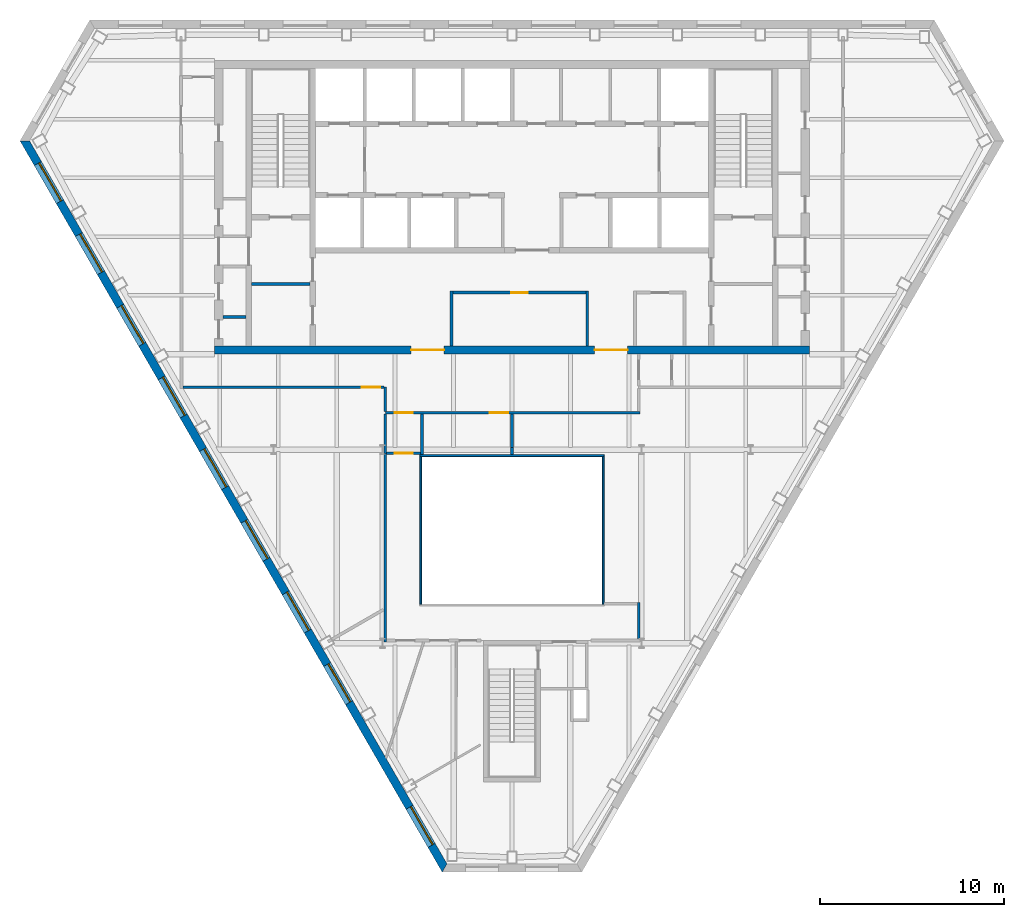
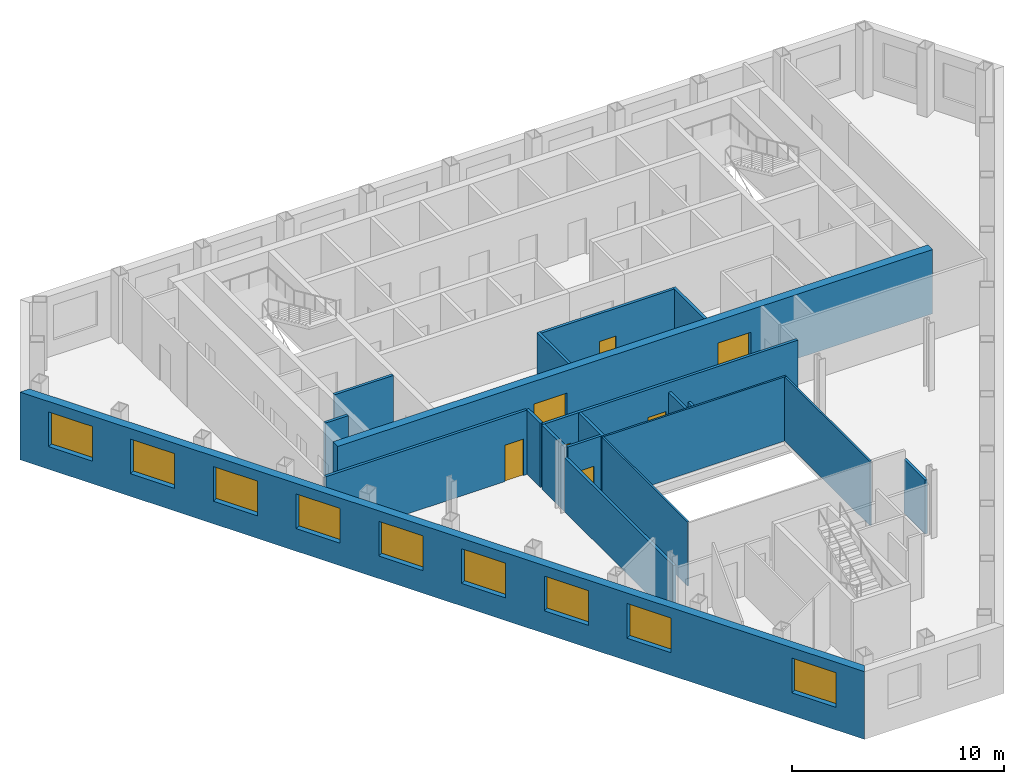
# One storey, part 4 of 10: 20 walls, 9 windows, 7 doors, 16 openings.
"""IFC4 building model written with IfcOpenShell, lengths in metres."""

from ifc_helpers import new_model, si_unit, direction, frame, frame_2d, origin, place, context, subcontext, project, spatial, polyline, rectangle, outline, extrude, material, layer, layer_set, type_object, element, fill, save


model = new_model("IFC4")

# Units and contexts
model_context = context("Model", 3, precision=1e-05, world=origin(), true_north=direction((0.0, 1.0)))
body_context = subcontext(model_context, "Body", "Model", "MODEL_VIEW")
ifc_project = project(units=[si_unit("LENGTHUNIT", "METRE"), si_unit("AREAUNIT", "SQUARE_METRE"), si_unit("VOLUMEUNIT", "CUBIC_METRE"), si_unit("PLANEANGLEUNIT", "RADIAN"), si_unit("MASSUNIT", "GRAM", prefix="KILO")], contexts=[model_context])

# Site, building, storey
site_placement = place(None, origin())
site = spatial("IfcSite", under=ifc_project, at=site_placement, CompositionType="ELEMENT")
building_placement = place(site_placement, origin())
building = spatial("IfcBuilding", under=site, at=building_placement, Name="Njiva Tower", CompositionType="ELEMENT")
storey_placement = place(building_placement, frame((0.0, 0.0, 196.5)))
storey = spatial("IfcBuildingStorey", under=building, at=storey_placement, Name="L43", CompositionType="ELEMENT", Elevation=196.5)

# Walls
ifc_material_1 = material(Name="Blockwork", Category="masonry")
ifc_layer_1 = layer(ifc_material_1, 0.15)
ifc_layer_set_1 = layer_set([ifc_layer_1], Name="Blockwork")
wall_type_1 = type_object("IfcWallType", Name="WT1 Compartment partition 150", PredefinedType="PARTITIONING", material=ifc_layer_set_1)
wall_1_placement = place(storey_placement, frame((-14.2, 5.825, 0.0), z_axis=(0.0, 0.0, 1.0), x_axis=(1.0, 0.0, 0.0)))
element("IfcWall", 1, at=wall_1_placement, inside=storey, type_object=wall_type_1, Name="Room wall A", PredefinedType="PARTITIONING", context=body_context, shape_type="SweptSolid", body=[
    extrude(rectangle(XDim=3.2, YDim=0.15, at=frame_2d((1.6, 0.0))), origin(), (0.0, 0.0, 1.0), 3.7),
])
wall_2_placement = place(storey_placement, frame((-15.75, 4.025, 0.0), z_axis=(0.0, 0.0, 1.0), x_axis=(1.0, 0.0, 0.0)))
element("IfcWall", 2, at=wall_2_placement, inside=storey, type_object=wall_type_1, Name="Partition strip W00", PredefinedType="PARTITIONING", context=body_context, shape_type="SweptSolid", body=[
    extrude(rectangle(XDim=1.25, YDim=0.15, at=frame_2d((0.625, 0.0))), origin(), (0.0, 0.0, 1.0), 3.7),
])
for number, where, z_axis, x_axis, name in (
    (3, (-3.3, 2.45, 0.0), (0.0, 0.0, 1.0), (0.0, 1.0, 0.0), "Parcel room wall west"),
    (4, (4.1, 2.45, 0.0), (0.0, 0.0, 1.0), (0.0, 1.0, 0.0), "Parcel room wall east"),
):
    element("IfcWall", number, at=place(storey_placement, frame(where, z_axis=z_axis, x_axis=x_axis)), inside=storey, type_object=wall_type_1, Name=name, PredefinedType="PARTITIONING", context=body_context, shape_type="SweptSolid", body=[
        extrude(rectangle(XDim=2.975, YDim=0.15, at=frame_2d((1.4875, 0.0))), origin(), (0.0, 0.0, 1.0), 3.7),
    ])

# Wall, opening, door
wall_3_placement = place(storey_placement, frame((-3.225, 5.35, 0.0), z_axis=(0.0, 0.0, 1.0), x_axis=(1.0, 0.0, 0.0)))
wall_3 = element("IfcWall", 5, at=wall_3_placement, inside=storey, type_object=wall_type_1, Name="Parcel room wall north", PredefinedType="PARTITIONING", context=body_context, shape_type="SweptSolid", body=[
    extrude(rectangle(XDim=7.25, YDim=0.15, at=frame_2d((3.625, 0.0))), origin(), (0.0, 0.0, 1.0), 3.7),
])
opening_1_placement = place(wall_3_placement, frame((3.175, 0.0, 0.0)))
opening_1 = element("IfcOpeningElement", 6, at=opening_1_placement, cuts=wall_3, Name="Opening S14-D934", PredefinedType="OPENING", context=body_context, shape_type="SweptSolid", body=[
    extrude(rectangle(XDim=0.9, YDim=2.1, at=frame_2d((0.45, 1.05))), frame((0.0, 0.085, 0.0), z_axis=(0.0, -1.0, 0.0), x_axis=(1.0, 0.0, 0.0)), (0.0, 0.0, 1.0), 0.17),
])
ifc_material_2 = material(Name="Steel fire door, painted", Category="steel")
door_type_1 = type_object("IfcDoorType", Name="D6 Fire-rated door 900x2100", OperationType="SINGLE_SWING_LEFT", PredefinedType="DOOR", material=ifc_material_2)
door_1_placement = place(opening_1_placement, origin())
door_1 = element("IfcDoor", 7, at=door_1_placement, inside=storey, type_object=door_type_1, Name="Parcel room door", OperationType="SINGLE_SWING_LEFT", OverallHeight=2.1, OverallWidth=0.9, PredefinedType="DOOR", context=body_context, shape_type="SweptSolid", body=[
    extrude(rectangle(XDim=0.9, YDim=2.1, at=frame_2d((0.45, 1.05))), frame((0.0, 0.025, 0.0), z_axis=(0.0, -1.0, 0.0), x_axis=(1.0, 0.0, 0.0)), (0.0, 0.0, 1.0), 0.05),
])
fill(opening_1, door_1)

# Wall, openings, doors
ifc_material_3 = material(Name="Concrete C60/75", Category="concrete")
ifc_layer_2 = layer(ifc_material_3, 0.45)
ifc_layer_set_2 = layer_set([ifc_layer_2], Name="Concrete C60/75")
wall_type_2 = type_object("IfcWallType", Name="WT12 Core wall 450", PredefinedType="SHEAR", material=ifc_layer_set_2)
wall_4_placement = place(storey_placement, frame((-16.2, 2.225, 0.0), z_axis=(0.0, 0.0, 1.0), x_axis=(1.0, 0.0, 0.0)))
wall_4 = element("IfcWall", 8, at=wall_4_placement, inside=storey, type_object=wall_type_2, Name="Core wall south", PredefinedType="SHEAR", context=body_context, shape_type="SweptSolid", body=[
    extrude(rectangle(XDim=32.4, YDim=0.45, at=frame_2d((16.2, 0.0))), origin(), (0.0, 0.0, 1.0), 3.7),
])
opening_2_placement = place(wall_4_placement, frame((10.7, 0.0, 0.0)))
opening_2 = element("IfcOpeningElement", 9, at=opening_2_placement, cuts=wall_4, Name="Opening S14-D937", PredefinedType="OPENING", context=body_context, shape_type="SweptSolid", body=[
    extrude(rectangle(XDim=1.8, YDim=2.4, at=frame_2d((0.9, 1.2))), frame((0.0, 0.235, 0.0), z_axis=(0.0, -1.0, 0.0), x_axis=(1.0, 0.0, 0.0)), (0.0, 0.0, 1.0), 0.47),
])
opening_3_placement = place(wall_4_placement, frame((20.7, 0.0, 0.0)))
opening_3 = element("IfcOpeningElement", 10, at=opening_3_placement, cuts=wall_4, Name="Opening S14-D938", PredefinedType="OPENING", context=body_context, shape_type="SweptSolid", body=[
    extrude(rectangle(XDim=1.8, YDim=2.4, at=frame_2d((0.9, 1.2))), frame((0.0, 0.235, 0.0), z_axis=(0.0, -1.0, 0.0), x_axis=(1.0, 0.0, 0.0)), (0.0, 0.0, 1.0), 0.47),
])
ifc_material_4 = material(Name="Steel and glass door", Category="steel")
door_type_2 = type_object("IfcDoorType", Name="D3 Core entrance door 1800x2400", OperationType="DOUBLE_DOOR_SINGLE_SWING", PredefinedType="DOOR", material=ifc_material_4)
door_2_placement = place(opening_2_placement, origin())
door_2 = element("IfcDoor", 11, at=door_2_placement, inside=storey, type_object=door_type_2, Name="Core entrance door", OperationType="DOUBLE_DOOR_SINGLE_SWING", OverallHeight=2.4, OverallWidth=1.8, PredefinedType="DOOR", context=body_context, shape_type="SweptSolid", body=[
    extrude(rectangle(XDim=1.8, YDim=2.4, at=frame_2d((0.9, 1.2))), frame((0.0, 0.025, 0.0), z_axis=(0.0, -1.0, 0.0), x_axis=(1.0, 0.0, 0.0)), (0.0, 0.0, 1.0), 0.05),
])
fill(opening_2, door_2)
door_3_placement = place(opening_3_placement, origin())
door_3 = element("IfcDoor", 12, at=door_3_placement, inside=storey, type_object=door_type_2, Name="Core entrance door", OperationType="DOUBLE_DOOR_SINGLE_SWING", OverallHeight=2.4, OverallWidth=1.8, PredefinedType="DOOR", context=body_context, shape_type="SweptSolid", body=[
    extrude(rectangle(XDim=1.8, YDim=2.4, at=frame_2d((0.9, 1.2))), frame((0.0, 0.025, 0.0), z_axis=(0.0, -1.0, 0.0), x_axis=(1.0, 0.0, 0.0)), (0.0, 0.0, 1.0), 0.05),
])
fill(opening_3, door_3)

# Wall, opening, door
ifc_material_5 = material(Name="Gypsum board on steel studs", Category="gypsum")
ifc_layer_3 = layer(ifc_material_5, 0.15)
ifc_layer_set_3 = layer_set([ifc_layer_3], Name="Gypsum board on steel studs")
wall_type_3 = type_object("IfcWallType", Name="WT21 Compartment wall 150", PredefinedType="PARTITIONING", material=ifc_layer_set_3)
wall_5_placement = place(storey_placement, frame((-17.925, 0.2, 0.0), z_axis=(0.0, 0.0, 1.0), x_axis=(1.0, 0.0, 0.0)))
wall_5 = element("IfcWall", 13, at=wall_5_placement, inside=storey, type_object=wall_type_3, Name="Partition S14-P005", PredefinedType="PARTITIONING", context=body_context, shape_type="SweptSolid", body=[
    extrude(rectangle(XDim=10.95, YDim=0.15, at=frame_2d((5.475, 0.0))), origin(), (0.0, 0.0, 1.0), 3.7),
])
opening_4_placement = place(wall_5_placement, frame((9.75, 0.0, 0.0)))
opening_4 = element("IfcOpeningElement", 14, at=opening_4_placement, cuts=wall_5, Name="Opening S14-D003", PredefinedType="OPENING", context=body_context, shape_type="SweptSolid", body=[
    extrude(rectangle(XDim=1.0, YDim=2.1, at=frame_2d((0.5, 1.05))), frame((0.0, 0.085, 0.0), z_axis=(0.0, -1.0, 0.0), x_axis=(1.0, 0.0, 0.0)), (0.0, 0.0, 1.0), 0.17),
])
ifc_material_6 = material(Name="Steel fire door set", Category="steel")
door_type_3 = type_object("IfcDoorType", Name="D37 Fire door 1000x2100", OperationType="SINGLE_SWING_LEFT", PredefinedType="DOOR", material=ifc_material_6)
door_4_placement = place(opening_4_placement, origin())
door_4 = element("IfcDoor", 15, at=door_4_placement, inside=storey, type_object=door_type_3, Name="Door S14-D003", OperationType="SINGLE_SWING_LEFT", OverallHeight=2.1, OverallWidth=1.0, PredefinedType="DOOR", context=body_context, shape_type="SweptSolid", body=[
    extrude(rectangle(XDim=1.0, YDim=2.1, at=frame_2d((0.5, 1.05))), frame((0.0, 0.025, 0.0), z_axis=(0.0, -1.0, 0.0), x_axis=(1.0, 0.0, 0.0)), (0.0, 0.0, 1.0), 0.05),
])
fill(opening_4, door_4)

# Walls
wall_6_placement = place(storey_placement, frame((-6.9, -13.675, 0.0), z_axis=(0.0, 0.0, 1.0), x_axis=(0.0, 1.0, 0.0)))
element("IfcWall", 16, at=wall_6_placement, inside=storey, type_object=wall_type_3, Name="Partition S14-P007", PredefinedType="PARTITIONING", context=body_context, shape_type="SweptSolid", body=[
    extrude(rectangle(XDim=10.263, YDim=0.15, at=frame_2d((5.1315, 0.0))), origin(), (0.0, 0.0, 1.0), 3.11),
])
wall_7_placement = place(storey_placement, frame((-6.9, -3.412, 0.0), z_axis=(0.0, 0.0, 1.0), x_axis=(0.0, 1.0, 0.0)))
element("IfcWall", 17, at=wall_7_placement, inside=storey, type_object=wall_type_3, Name="Partition S14-P007A", PredefinedType="PARTITIONING", context=body_context, shape_type="SweptSolid", body=[
    extrude(rectangle(XDim=2.137, YDim=0.15, at=frame_2d((1.0685, 0.0))), origin(), (0.0, 0.0, 1.0), 3.7),
])

# Wall, openings, doors
wall_8_placement = place(storey_placement, frame((-6.9, -1.2, 0.0), z_axis=(0.0, 0.0, 1.0), x_axis=(1.0, 0.0, 0.0)))
wall_8 = element("IfcWall", 18, at=wall_8_placement, inside=storey, type_object=wall_type_3, Name="Partition S14-P008", PredefinedType="PARTITIONING", context=body_context, shape_type="SweptSolid", body=[
    extrude(rectangle(XDim=13.875, YDim=0.15, at=frame_2d((6.9375, 0.0))), origin(), (0.0, 0.0, 1.0), 3.7),
])
opening_5_placement = place(wall_8_placement, frame((0.5, 0.0, 0.0)))
opening_5 = element("IfcOpeningElement", 19, at=opening_5_placement, cuts=wall_8, Name="Opening S14-D004", PredefinedType="OPENING", context=body_context, shape_type="SweptSolid", body=[
    extrude(rectangle(XDim=1.0, YDim=2.1, at=frame_2d((0.5, 1.05))), frame((0.0, 0.085, 0.0), z_axis=(0.0, -1.0, 0.0), x_axis=(1.0, 0.0, 0.0)), (0.0, 0.0, 1.0), 0.17),
])
opening_6_placement = place(wall_8_placement, frame((5.699, 0.0, 0.0)))
opening_6 = element("IfcOpeningElement", 20, at=opening_6_placement, cuts=wall_8, Name="Opening S14-D005", PredefinedType="OPENING", context=body_context, shape_type="SweptSolid", body=[
    extrude(rectangle(XDim=1.0, YDim=2.1, at=frame_2d((0.5, 1.05))), frame((0.0, 0.085, 0.0), z_axis=(0.0, -1.0, 0.0), x_axis=(1.0, 0.0, 0.0)), (0.0, 0.0, 1.0), 0.17),
])
door_5_placement = place(opening_5_placement, origin())
door_5 = element("IfcDoor", 21, at=door_5_placement, inside=storey, type_object=door_type_3, Name="Door S14-D004", OperationType="SINGLE_SWING_RIGHT", OverallHeight=2.1, OverallWidth=1.0, PredefinedType="DOOR", context=body_context, shape_type="SweptSolid", body=[
    extrude(rectangle(XDim=1.0, YDim=2.1, at=frame_2d((0.5, 1.05))), frame((0.0, 0.025, 0.0), z_axis=(0.0, -1.0, 0.0), x_axis=(1.0, 0.0, 0.0)), (0.0, 0.0, 1.0), 0.05),
])
fill(opening_5, door_5)
door_6_placement = place(opening_6_placement, origin())
door_6 = element("IfcDoor", 22, at=door_6_placement, inside=storey, type_object=door_type_3, Name="Door S14-D005", OperationType="SINGLE_SWING_LEFT", OverallHeight=2.1, OverallWidth=1.0, PredefinedType="DOOR", context=body_context, shape_type="SweptSolid", body=[
    extrude(rectangle(XDim=1.0, YDim=2.1, at=frame_2d((0.5, 1.05))), frame((0.0, 0.025, 0.0), z_axis=(0.0, -1.0, 0.0), x_axis=(1.0, 0.0, 0.0)), (0.0, 0.0, 1.0), 0.05),
])
fill(opening_6, door_6)

# Wall
wall_9_placement = place(storey_placement, frame((-6.9, -1.125, 0.0), z_axis=(0.0, 0.0, 1.0), x_axis=(0.0, 1.0, 0.0)))
element("IfcWall", 23, at=wall_9_placement, inside=storey, type_object=wall_type_3, Name="Partition S14-P009", PredefinedType="PARTITIONING", context=body_context, shape_type="SweptSolid", body=[
    extrude(rectangle(XDim=1.321, YDim=0.15, at=frame_2d((0.6605, 0.0))), origin(), (0.0, 0.0, 1.0), 3.7),
])

# Wall, opening, door
wall_10_placement = place(storey_placement, frame((-6.825, -3.4, 0.0), z_axis=(0.0, 0.0, 1.0), x_axis=(1.0, 0.0, 0.0)))
wall_10 = element("IfcWall", 24, at=wall_10_placement, inside=storey, type_object=wall_type_3, Name="Partition S14-P012", PredefinedType="PARTITIONING", context=body_context, shape_type="SweptSolid", body=[
    extrude(rectangle(XDim=1.851, YDim=0.15, at=frame_2d((0.9255, 0.0))), origin(), (0.0, 0.0, 1.0), 3.7),
])
opening_7_placement = place(wall_10_placement, frame((0.425, 0.0, 0.0)))
opening_7 = element("IfcOpeningElement", 25, at=opening_7_placement, cuts=wall_10, Name="Opening S14-D009", PredefinedType="OPENING", context=body_context, shape_type="SweptSolid", body=[
    extrude(rectangle(XDim=1.0, YDim=2.1, at=frame_2d((0.5, 1.05))), frame((0.0, 0.085, 0.0), z_axis=(0.0, -1.0, 0.0), x_axis=(1.0, 0.0, 0.0)), (0.0, 0.0, 1.0), 0.17),
])
door_7_placement = place(opening_7_placement, origin())
door_7 = element("IfcDoor", 26, at=door_7_placement, inside=storey, type_object=door_type_3, Name="Door S14-D009", OperationType="SINGLE_SWING_RIGHT", OverallHeight=2.1, OverallWidth=1.0, PredefinedType="DOOR", context=body_context, shape_type="SweptSolid", body=[
    extrude(rectangle(XDim=1.0, YDim=2.1, at=frame_2d((0.5, 1.05))), frame((0.0, 0.025, 0.0), z_axis=(0.0, -1.0, 0.0), x_axis=(1.0, 0.0, 0.0)), (0.0, 0.0, 1.0), 0.05),
])
fill(opening_7, door_7)

# Walls
wall_11_placement = place(storey_placement, frame((-4.899, -3.48, 0.0), z_axis=(0.0, 0.0, 1.0), x_axis=(-0.000453514693, 0.999999897162, 0.0)))
element("IfcWall", 27, at=wall_11_placement, inside=storey, type_object=wall_type_3, Name="Partition S14-P014", PredefinedType="PARTITIONING", context=body_context, shape_type="SweptSolid", body=[
    extrude(rectangle(XDim=2.205, YDim=0.15, at=frame_2d((1.1025, 0.0))), origin(), (0.0, 0.0, 1.0), 3.7),
])
wall_12_placement = place(storey_placement, frame((-0.001, -1.275, 0.0), z_axis=(0.0, 0.0, 1.0), x_axis=(0.000438356122, -0.999999903922, 0.0)))
element("IfcWall", 28, at=wall_12_placement, inside=storey, type_object=wall_type_3, Name="Partition S14-P017", PredefinedType="PARTITIONING", context=body_context, shape_type="SweptSolid", body=[
    extrude(rectangle(XDim=1.825, YDim=0.15, at=frame_2d((0.9125, 0.0))), origin(), (0.0, 0.0, 1.0), 3.15),
])
wall_13_placement = place(storey_placement, frame((-0.0002, -3.1, 0.0), z_axis=(0.0, 0.0, 1.0), x_axis=(0.000526315717, -0.999999861496, 0.0)))
element("IfcWall", 29, at=wall_13_placement, inside=storey, type_object=wall_type_3, Name="Partition S14-P017A", PredefinedType="PARTITIONING", context=body_context, shape_type="SweptSolid", body=[
    extrude(rectangle(XDim=0.38, YDim=0.15, at=frame_2d((0.19, 0.0))), origin(), (0.0, 0.0, 1.0), 3.7),
])
wall_14_placement = place(storey_placement, frame((6.9, -13.525, 0.0), z_axis=(0.0, 0.0, 1.0), x_axis=(0.0, 1.0, 0.0)))
element("IfcWall", 30, at=wall_14_placement, inside=storey, type_object=wall_type_3, Name="Partition S14-P020", PredefinedType="PARTITIONING", context=body_context, shape_type="SweptSolid", body=[
    extrude(rectangle(XDim=2.0, YDim=0.15, at=frame_2d((1.0, 0.0))), origin(), (0.0, 0.0, 1.0), 3.11),
])

# Wall, openings, windows
ifc_material_7 = material(Name="Brick masonry", Category="masonry")
ifc_layer_4 = layer(ifc_material_7, 0.45)
ifc_layer_set_4 = layer_set([ifc_layer_4], Name="Brick masonry")
wall_type_4 = type_object("IfcWallType", Name="WT90 Brick pier and spandrel wall 450", PredefinedType="SOLIDWALL", material=ifc_layer_set_4)
wall_15_placement = place(storey_placement, frame((-26.5402, 13.6182, -0.4), z_axis=(0.0, 0.0, 1.0), x_axis=(0.499999764979, -0.866025539474, 0.0)))
wall_15 = element("IfcWall", 31, at=wall_15_placement, inside=storey, type_object=wall_type_4, Name="Facade wall SW", PredefinedType="SOLIDWALL", context=body_context, shape_type="SweptSolid", body=[
    extrude(outline(polyline([(-0.1299, -0.225), (45.8701, -0.225), (45.6103, 0.225), (0.1299, 0.225), (-0.1299, -0.225)])), origin(), (0.0, 0.0, 1.0), 3.9),
])
opening_8_placement = place(wall_15_placement, frame((1.4242, 0.0, 1.3)))
opening_8 = element("IfcOpeningElement", 32, at=opening_8_placement, cuts=wall_15, Name="Opening S14-W12", PredefinedType="OPENING", context=body_context, shape_type="SweptSolid", body=[
    extrude(rectangle(XDim=2.4, YDim=2.0, at=frame_2d((1.2, 1.0))), frame((0.0, 0.235, 0.0), z_axis=(0.0, -1.0, 0.0), x_axis=(1.0, 0.0, 0.0)), (0.0, 0.0, 1.0), 0.47),
])
opening_9_placement = place(wall_15_placement, frame((5.8934, 0.0, 1.3)))
opening_9 = element("IfcOpeningElement", 33, at=opening_9_placement, cuts=wall_15, Name="Opening S14-W13", PredefinedType="OPENING", context=body_context, shape_type="SweptSolid", body=[
    extrude(rectangle(XDim=2.4, YDim=2.0, at=frame_2d((1.2, 1.0))), frame((0.0, 0.235, 0.0), z_axis=(0.0, -1.0, 0.0), x_axis=(1.0, 0.0, 0.0)), (0.0, 0.0, 1.0), 0.47),
])
opening_10_placement = place(wall_15_placement, frame((10.401, 0.0, 1.3)))
opening_10 = element("IfcOpeningElement", 34, at=opening_10_placement, cuts=wall_15, Name="Opening S14-W14", PredefinedType="OPENING", context=body_context, shape_type="SweptSolid", body=[
    extrude(rectangle(XDim=2.4, YDim=2.0, at=frame_2d((1.2, 1.0))), frame((0.0, 0.235, 0.0), z_axis=(0.0, -1.0, 0.0), x_axis=(1.0, 0.0, 0.0)), (0.0, 0.0, 1.0), 0.47),
])
opening_11_placement = place(wall_15_placement, frame((14.9087, 0.0, 1.3)))
opening_11 = element("IfcOpeningElement", 35, at=opening_11_placement, cuts=wall_15, Name="Opening S14-W15", PredefinedType="OPENING", context=body_context, shape_type="SweptSolid", body=[
    extrude(rectangle(XDim=2.4, YDim=2.0, at=frame_2d((1.2, 1.0))), frame((0.0, 0.235, 0.0), z_axis=(0.0, -1.0, 0.0), x_axis=(1.0, 0.0, 0.0)), (0.0, 0.0, 1.0), 0.47),
])
opening_12_placement = place(wall_15_placement, frame((19.4163, 0.0, 1.3)))
opening_12 = element("IfcOpeningElement", 36, at=opening_12_placement, cuts=wall_15, Name="Opening S14-W16", PredefinedType="OPENING", context=body_context, shape_type="SweptSolid", body=[
    extrude(rectangle(XDim=2.4, YDim=2.0, at=frame_2d((1.2, 1.0))), frame((0.0, 0.235, 0.0), z_axis=(0.0, -1.0, 0.0), x_axis=(1.0, 0.0, 0.0)), (0.0, 0.0, 1.0), 0.47),
])
opening_13_placement = place(wall_15_placement, frame((23.9239, 0.0, 1.3)))
opening_13 = element("IfcOpeningElement", 37, at=opening_13_placement, cuts=wall_15, Name="Opening S14-W17", PredefinedType="OPENING", context=body_context, shape_type="SweptSolid", body=[
    extrude(rectangle(XDim=2.4, YDim=2.0, at=frame_2d((1.2, 1.0))), frame((0.0, 0.235, 0.0), z_axis=(0.0, -1.0, 0.0), x_axis=(1.0, 0.0, 0.0)), (0.0, 0.0, 1.0), 0.47),
])
opening_14_placement = place(wall_15_placement, frame((28.4315, 0.0, 1.3)))
opening_14 = element("IfcOpeningElement", 38, at=opening_14_placement, cuts=wall_15, Name="Opening S14-W18", PredefinedType="OPENING", context=body_context, shape_type="SweptSolid", body=[
    extrude(rectangle(XDim=2.4, YDim=2.0, at=frame_2d((1.2, 1.0))), frame((0.0, 0.235, 0.0), z_axis=(0.0, -1.0, 0.0), x_axis=(1.0, 0.0, 0.0)), (0.0, 0.0, 1.0), 0.47),
])
opening_15_placement = place(wall_15_placement, frame((32.9391, 0.0, 1.3)))
opening_15 = element("IfcOpeningElement", 39, at=opening_15_placement, cuts=wall_15, Name="Opening S14-W19", PredefinedType="OPENING", context=body_context, shape_type="SweptSolid", body=[
    extrude(rectangle(XDim=2.4, YDim=2.0, at=frame_2d((1.2, 1.0))), frame((0.0, 0.235, 0.0), z_axis=(0.0, -1.0, 0.0), x_axis=(1.0, 0.0, 0.0)), (0.0, 0.0, 1.0), 0.47),
])
opening_16_placement = place(wall_15_placement, frame((41.916, 0.0, 1.3)))
opening_16 = element("IfcOpeningElement", 40, at=opening_16_placement, cuts=wall_15, Name="Opening S14-W20", PredefinedType="OPENING", context=body_context, shape_type="SweptSolid", body=[
    extrude(rectangle(XDim=2.4, YDim=2.0, at=frame_2d((1.2, 1.0))), frame((0.0, 0.235, 0.0), z_axis=(0.0, -1.0, 0.0), x_axis=(1.0, 0.0, 0.0)), (0.0, 0.0, 1.0), 0.47),
])
ifc_material_8 = material(Name="Clear glazing in aluminium frame", Category="aluminium")
window_type = type_object("IfcWindowType", Name="W90 Deep-set window 2400x2000", PartitioningType="SINGLE_PANEL", PredefinedType="WINDOW", material=ifc_material_8)
window_1_placement = place(opening_8_placement, origin())
window_1 = element("IfcWindow", 41, at=window_1_placement, inside=storey, type_object=window_type, Name="Window", OverallHeight=2.0, OverallWidth=2.4, PartitioningType="SINGLE_PANEL", PredefinedType="WINDOW", context=body_context, shape_type="SweptSolid", body=[
    extrude(rectangle(XDim=2.4, YDim=2.0, at=frame_2d((1.2, 1.0))), frame((0.0, 0.105, 0.0), z_axis=(0.0, -1.0, 0.0), x_axis=(1.0, 0.0, 0.0)), (0.0, 0.0, 1.0), 0.06),
])
fill(opening_8, window_1)
window_2_placement = place(opening_9_placement, origin())
window_2 = element("IfcWindow", 42, at=window_2_placement, inside=storey, type_object=window_type, Name="Window", OverallHeight=2.0, OverallWidth=2.4, PartitioningType="SINGLE_PANEL", PredefinedType="WINDOW", context=body_context, shape_type="SweptSolid", body=[
    extrude(rectangle(XDim=2.4, YDim=2.0, at=frame_2d((1.2, 1.0))), frame((0.0, 0.105, 0.0), z_axis=(0.0, -1.0, 0.0), x_axis=(1.0, 0.0, 0.0)), (0.0, 0.0, 1.0), 0.06),
])
fill(opening_9, window_2)
window_3_placement = place(opening_10_placement, origin())
window_3 = element("IfcWindow", 43, at=window_3_placement, inside=storey, type_object=window_type, Name="Window", OverallHeight=2.0, OverallWidth=2.4, PartitioningType="SINGLE_PANEL", PredefinedType="WINDOW", context=body_context, shape_type="SweptSolid", body=[
    extrude(rectangle(XDim=2.4, YDim=2.0, at=frame_2d((1.2, 1.0))), frame((0.0, 0.105, 0.0), z_axis=(0.0, -1.0, 0.0), x_axis=(1.0, 0.0, 0.0)), (0.0, 0.0, 1.0), 0.06),
])
fill(opening_10, window_3)
window_4_placement = place(opening_11_placement, origin())
window_4 = element("IfcWindow", 44, at=window_4_placement, inside=storey, type_object=window_type, Name="Window", OverallHeight=2.0, OverallWidth=2.4, PartitioningType="SINGLE_PANEL", PredefinedType="WINDOW", context=body_context, shape_type="SweptSolid", body=[
    extrude(rectangle(XDim=2.4, YDim=2.0, at=frame_2d((1.2, 1.0))), frame((0.0, 0.105, 0.0), z_axis=(0.0, -1.0, 0.0), x_axis=(1.0, 0.0, 0.0)), (0.0, 0.0, 1.0), 0.06),
])
fill(opening_11, window_4)
window_5_placement = place(opening_12_placement, origin())
window_5 = element("IfcWindow", 45, at=window_5_placement, inside=storey, type_object=window_type, Name="Window", OverallHeight=2.0, OverallWidth=2.4, PartitioningType="SINGLE_PANEL", PredefinedType="WINDOW", context=body_context, shape_type="SweptSolid", body=[
    extrude(rectangle(XDim=2.4, YDim=2.0, at=frame_2d((1.2, 1.0))), frame((0.0, 0.105, 0.0), z_axis=(0.0, -1.0, 0.0), x_axis=(1.0, 0.0, 0.0)), (0.0, 0.0, 1.0), 0.06),
])
fill(opening_12, window_5)
window_6_placement = place(opening_13_placement, origin())
window_6 = element("IfcWindow", 46, at=window_6_placement, inside=storey, type_object=window_type, Name="Window", OverallHeight=2.0, OverallWidth=2.4, PartitioningType="SINGLE_PANEL", PredefinedType="WINDOW", context=body_context, shape_type="SweptSolid", body=[
    extrude(rectangle(XDim=2.4, YDim=2.0, at=frame_2d((1.2, 1.0))), frame((0.0, 0.105, 0.0), z_axis=(0.0, -1.0, 0.0), x_axis=(1.0, 0.0, 0.0)), (0.0, 0.0, 1.0), 0.06),
])
fill(opening_13, window_6)
window_7_placement = place(opening_14_placement, origin())
window_7 = element("IfcWindow", 47, at=window_7_placement, inside=storey, type_object=window_type, Name="Window", OverallHeight=2.0, OverallWidth=2.4, PartitioningType="SINGLE_PANEL", PredefinedType="WINDOW", context=body_context, shape_type="SweptSolid", body=[
    extrude(rectangle(XDim=2.4, YDim=2.0, at=frame_2d((1.2, 1.0))), frame((0.0, 0.105, 0.0), z_axis=(0.0, -1.0, 0.0), x_axis=(1.0, 0.0, 0.0)), (0.0, 0.0, 1.0), 0.06),
])
fill(opening_14, window_7)
window_8_placement = place(opening_15_placement, origin())
window_8 = element("IfcWindow", 48, at=window_8_placement, inside=storey, type_object=window_type, Name="Window", OverallHeight=2.0, OverallWidth=2.4, PartitioningType="SINGLE_PANEL", PredefinedType="WINDOW", context=body_context, shape_type="SweptSolid", body=[
    extrude(rectangle(XDim=2.4, YDim=2.0, at=frame_2d((1.2, 1.0))), frame((0.0, 0.105, 0.0), z_axis=(0.0, -1.0, 0.0), x_axis=(1.0, 0.0, 0.0)), (0.0, 0.0, 1.0), 0.06),
])
fill(opening_15, window_8)
window_9_placement = place(opening_16_placement, origin())
window_9 = element("IfcWindow", 49, at=window_9_placement, inside=storey, type_object=window_type, Name="Window", OverallHeight=2.0, OverallWidth=2.4, PartitioningType="SINGLE_PANEL", PredefinedType="WINDOW", context=body_context, shape_type="SweptSolid", body=[
    extrude(rectangle(XDim=2.4, YDim=2.0, at=frame_2d((1.2, 1.0))), frame((0.0, 0.105, 0.0), z_axis=(0.0, -1.0, 0.0), x_axis=(1.0, 0.0, 0.0)), (0.0, 0.0, 1.0), 0.06),
])
fill(opening_16, window_9)

# Walls
ifc_material_9 = material(Name="Fire-resisting glazing EI 90", Category="glass")
ifc_layer_5 = layer(ifc_material_9, 0.1)
ifc_layer_set_5 = layer_set([ifc_layer_5], Name="Fire-resisting glazing EI 90")
wall_type_5 = type_object("IfcWallType", Name="WT95 Fire-resisting glazed screen EI 90", PredefinedType="PARTITIONING", material=ifc_layer_set_5)
wall_16_placement = place(storey_placement, frame((4.97, -11.62, 0.0), z_axis=(0.0, 0.0, 1.0), x_axis=(0.0, 1.0, 0.0)))
element("IfcWall", 50, at=wall_16_placement, inside=storey, type_object=wall_type_5, Name="Atrium fire screen east", PredefinedType="PARTITIONING", context=body_context, shape_type="SweptSolid", body=[
    extrude(rectangle(XDim=8.04, YDim=0.1, at=frame_2d((4.02, 0.0))), origin(), (0.0, 0.0, 1.0), 3.7),
])
wall_17_placement = place(storey_placement, frame((5.02, -3.53, 0.0), z_axis=(0.0, 0.0, 1.0), x_axis=(-1.0, 0.0, 0.0)))
element("IfcWall", 51, at=wall_17_placement, inside=storey, type_object=wall_type_5, Name="Atrium fire screen north", PredefinedType="PARTITIONING", context=body_context, shape_type="SweptSolid", body=[
    extrude(rectangle(XDim=10.04, YDim=0.1, at=frame_2d((5.02, 0.0))), origin(), (0.0, 0.0, 1.0), 3.7),
])
wall_18_placement = place(storey_placement, frame((-4.97, -3.58, 0.0), z_axis=(0.0, 0.0, 1.0), x_axis=(0.0, -1.0, 0.0)))
element("IfcWall", 52, at=wall_18_placement, inside=storey, type_object=wall_type_5, Name="Atrium fire screen west", PredefinedType="PARTITIONING", context=body_context, shape_type="SweptSolid", body=[
    extrude(rectangle(XDim=8.04, YDim=0.1, at=frame_2d((4.02, 0.0))), origin(), (0.0, 0.0, 1.0), 3.7),
])

save(model, "model.ifc")
